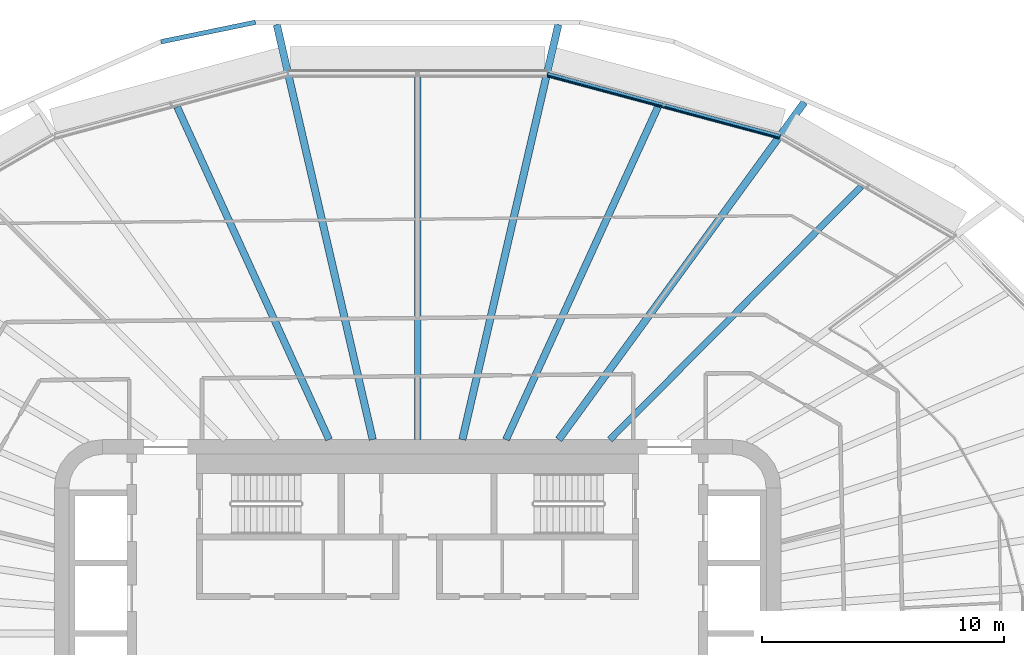
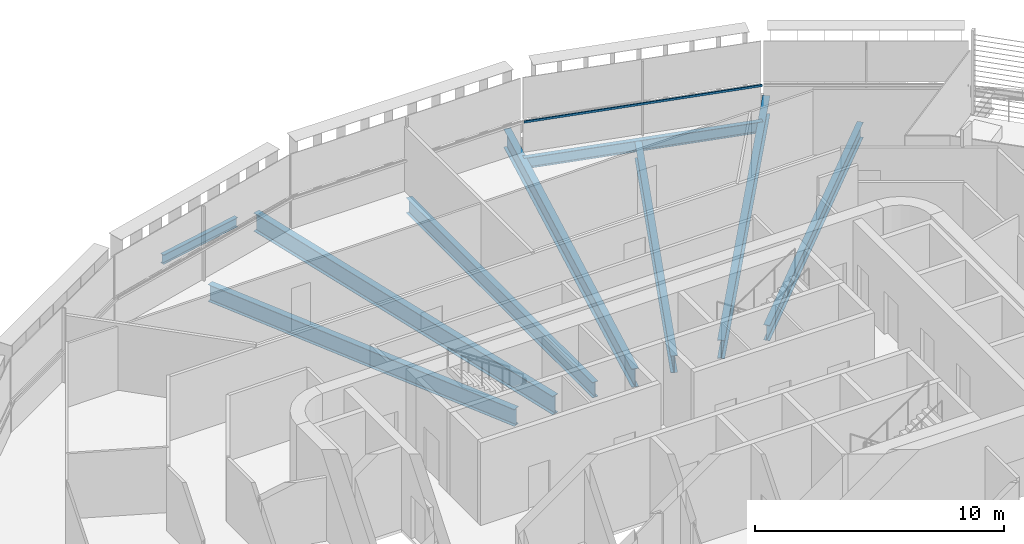
# One storey, part 8 of 24: 9 beams, 1 member, 1 element without a shape of its own.
"""IFC4 building model written with IfcOpenShell, lengths in metres."""

from ifc_helpers import new_model, si_unit, direction, frame, origin, origin_2d, place, context, subcontext, project, spatial, rectangle, i_section, extrude, material, layer, layer_set, material_profile, profile_set, type_object, element, aggregate, save


model = new_model("IFC4")

# Units and contexts
model_context = context("Model", 3, precision=1e-05, world=origin(), true_north=direction((0.0, 1.0)))
body_context = subcontext(model_context, "Body", "Model", "MODEL_VIEW")
ifc_project = project(units=[si_unit("LENGTHUNIT", "METRE"), si_unit("AREAUNIT", "SQUARE_METRE"), si_unit("VOLUMEUNIT", "CUBIC_METRE"), si_unit("PLANEANGLEUNIT", "RADIAN"), si_unit("MASSUNIT", "GRAM", prefix="KILO")], contexts=[model_context])

# Site, building, storey
site_placement = place(None, origin())
site = spatial("IfcSite", under=ifc_project, at=site_placement, CompositionType="ELEMENT")
building_placement = place(site_placement, origin())
building = spatial("IfcBuilding", under=site, at=building_placement, Name="Sahrelin Media Tower", CompositionType="ELEMENT")
storey_placement = place(building_placement, frame((0.0, 0.0, 67.199951171875)))
storey = spatial("IfcBuildingStorey", under=building, at=storey_placement, Name="L11", CompositionType="ELEMENT", Elevation=67.199951171875)

# Beams
ifc_material_1 = material(Name="Steel S355", Category="steel")
ifc_material_profile_1 = material_profile(ifc_material_1, i_section(OverallWidth=0.208740234375, OverallDepth=0.5283203125, WebThickness=0.009521484375, FlangeThickness=0.01318359375, FilletRadius=0.0126953125, at=origin_2d()), Name="UB 533x210x82")
ifc_profile_set_1 = profile_set([ifc_material_profile_1], Name="Steel S355")
beam_type_1 = type_object("IfcBeamType", Name="Edge beam EB6", PredefinedType="BEAM", material=ifc_profile_set_1)
beam_1_placement = place(storey_placement, frame((5.36474609375, 23.0693359375, -0.4140625), z_axis=(0.965929509631, -0.25880529829, 0.0), x_axis=(0.25880529829, 0.965929509631, 0.0)))
element("IfcBeam", 1, at=beam_1_placement, inside=storey, type_object=beam_type_1, Name="Edge beam L11-20", PredefinedType="BEAM", context=body_context, shape_type="SweptSolid", body=[
    extrude(i_section(OverallWidth=0.208740234375, OverallDepth=0.5283203125, WebThickness=0.009521484375, FlangeThickness=0.01318359375, FilletRadius=0.0126953125, at=origin_2d()), origin(), (0.0, 0.0, 1.0), 9.932373046875),
])
ifc_material_profile_2 = material_profile(ifc_material_1, i_section(OverallWidth=0.30322265625, OverallDepth=0.903076171875, WebThickness=0.01513671875, FlangeThickness=0.020263671875, FilletRadius=0.01904296875, at=origin_2d()), Name="UB 914x305x201")
ifc_profile_set_2 = profile_set([ifc_material_profile_2], Name="Steel S355")
beam_type_2 = type_object("IfcBeamType", Name="Radial primary beam PB11", PredefinedType="BEAM", material=ifc_profile_set_2)
beam_2_placement = place(storey_placement, frame((5.827392578125, 8.0, -0.6015625), z_axis=(0.588761918739, 0.808306503155, 0.0), x_axis=(-0.808306503155, 0.588761918739, 0.0)))
element("IfcBeam", 2, at=beam_2_placement, inside=storey, type_object=beam_type_2, Name="Radial beam L11-05", PredefinedType="BEAM", context=body_context, shape_type="SweptSolid", body=[
    extrude(i_section(OverallWidth=0.30322265625, OverallDepth=0.903076171875, WebThickness=0.01513671875, FlangeThickness=0.020263671875, FilletRadius=0.01904296875, at=origin_2d()), origin(), (0.0, 0.0, 1.0), 17.236572265625),
])
for number, where, z_axis, x_axis, name in (
    (3, (1.85009765625, 8.0, -0.6015625), (0.22529943157, 0.974289569961, 0.0), (-0.974289569961, 0.22529943157, 0.0), "Radial beam L11-06"),
    (4, (-1.85009765625, 8.0, -0.6015625), (-0.22529943157, 0.974289569961, 0.0), (-0.974289569961, -0.22529943157, 0.0), "Radial beam L11-07"),
):
    element("IfcBeam", number, at=place(storey_placement, frame(where, z_axis=z_axis, x_axis=x_axis)), inside=storey, type_object=beam_type_2, Name=name, PredefinedType="BEAM", context=body_context, shape_type="SweptSolid", body=[
        extrude(i_section(OverallWidth=0.30322265625, OverallDepth=0.903076171875, WebThickness=0.01513671875, FlangeThickness=0.020263671875, FilletRadius=0.01904296875, at=origin_2d()), origin(), (0.0, 0.0, 1.0), 17.58935546875),
    ])
ifc_material_profile_3 = material_profile(ifc_material_1, i_section(OverallWidth=0.291748046875, OverallDepth=0.8349609375, WebThickness=0.013916015625, FlangeThickness=0.018798828125, FilletRadius=0.017822265625, at=origin_2d()), Name="UB 838x292x176")
ifc_profile_set_3 = profile_set([ifc_material_profile_3], Name="Steel S355")
beam_type_3 = type_object("IfcBeamType", Name="Radial secondary beam SB10", PredefinedType="BEAM", material=ifc_profile_set_3)
for number, where, z_axis, x_axis, name in (
    (5, (3.653564453125, 8.0, -0.5673828125), (0.415408664059, 0.909634894793, 0.0), (-0.909634894793, 0.415408664059, 0.0), "Secondary beam L11-05"),
    (6, (-3.653564453125, 8.0, -0.5673828125), (-0.415408664059, 0.909634894793, 0.0), (-0.909634894793, -0.415408664059, 0.0), "Secondary beam L11-07"),
):
    element("IfcBeam", number, at=place(storey_placement, frame(where, z_axis=z_axis, x_axis=x_axis)), inside=storey, type_object=beam_type_3, Name=name, PredefinedType="BEAM", context=body_context, shape_type="SweptSolid", body=[
        extrude(i_section(OverallWidth=0.291748046875, OverallDepth=0.8349609375, WebThickness=0.013916015625, FlangeThickness=0.018798828125, FilletRadius=0.017822265625, at=origin_2d()), origin(), (0.0, 0.0, 1.0), 15.103515625),
    ])
ifc_material_profile_4 = material_profile(ifc_material_1, i_section(OverallWidth=0.26513671875, OverallDepth=0.75390625, WebThickness=0.0126953125, FlangeThickness=0.017578125, FilletRadius=0.0166015625, at=origin_2d()), Name="UB 762x267x147")
ifc_profile_set_4 = profile_set([ifc_material_profile_4], Name="Steel S355")
beam_type_4 = type_object("IfcBeamType", Name="Radial secondary beam SB9", PredefinedType="BEAM", material=ifc_profile_set_4)
beam_3_placement = place(storey_placement, frame((7.9404296875, 8.0, -0.52685546875), z_axis=(0.704458173544, 0.709745504901, 0.0), x_axis=(-0.709745504901, 0.704458173544, 0.0)))
element("IfcBeam", 7, at=beam_3_placement, inside=storey, type_object=beam_type_4, Name="Secondary beam L11-04", PredefinedType="BEAM", context=body_context, shape_type="SweptSolid", body=[
    extrude(i_section(OverallWidth=0.26513671875, OverallDepth=0.75390625, WebThickness=0.0126953125, FlangeThickness=0.017578125, FilletRadius=0.0166015625, at=origin_2d()), origin(), (0.0, 0.0, 1.0), 14.729736328125),
])
beam_4_placement = place(storey_placement, frame((0.0, 8.0, -0.52685546875), z_axis=(0.0, 1.0, 0.0), x_axis=(-1.0, 0.0, 0.0)))
element("IfcBeam", 8, at=beam_4_placement, inside=storey, type_object=beam_type_4, Name="Secondary beam L11-06", PredefinedType="BEAM", context=body_context, shape_type="SweptSolid", body=[
    extrude(i_section(OverallWidth=0.26513671875, OverallDepth=0.75390625, WebThickness=0.0126953125, FlangeThickness=0.017578125, FilletRadius=0.0166015625, at=origin_2d()), origin(), (0.0, 0.0, 1.0), 14.95947265625),
])
ifc_material_profile_5 = material_profile(ifc_material_1, i_section(OverallWidth=0.1904296875, OverallDepth=0.45703125, WebThickness=0.009033203125, FlangeThickness=0.014404296875, FilletRadius=0.01025390625, at=origin_2d()), Name="UB 457x191x74")
ifc_profile_set_5 = profile_set([ifc_material_profile_5], Name="Steel S355")
beam_type_5 = type_object("IfcBeamType", Name="Tie chord TC5", PredefinedType="BEAM", material=ifc_profile_set_5)
beam_5_placement = place(storey_placement, frame((-6.6962890625, 25.232421875, -0.37841796875), z_axis=(-0.979384954369, -0.202002750365, 0.0), x_axis=(0.202002750365, -0.979384954369, 0.0)))
element("IfcBeam", 9, at=beam_5_placement, inside=storey, type_object=beam_type_5, Name="Tie chord L11-07", PredefinedType="BEAM", context=body_context, shape_type="SweptSolid", body=[
    extrude(i_section(OverallWidth=0.1904296875, OverallDepth=0.45703125, WebThickness=0.009033203125, FlangeThickness=0.014404296875, FilletRadius=0.01025390625, at=origin_2d()), origin(), (0.0, 0.0, 1.0), 3.9775390625),
])

# Curtain wall, member
ifc_material_2 = material(Name="Champagne anodised aluminium 6063-T6", Category="aluminium")
ifc_layer = layer(ifc_material_2, 0.14990234375)
ifc_layer_set = layer_set([ifc_layer], Name="Tower ribbon curtain wall")
curtain_wall_type = type_object("IfcCurtainWallType", Name="Tower ribbon curtain wall", PredefinedType="NOTDEFINED", material=ifc_layer_set)
curtain_wall_placement = place(storey_placement, frame((10.200439453125, 21.928955078125, 0.0), z_axis=(0.0, 0.0, 1.0), x_axis=(1.0, 0.0, 0.0)))
curtain_wall = element("IfcCurtainWall", 10, at=curtain_wall_placement, inside=storey, type_object=curtain_wall_type, Name="L11:CW:L11-05", PredefinedType="NOTDEFINED")
ifc_material_profile_6 = material_profile(ifc_material_2, rectangle(XDim=0.050048828125, YDim=0.10009765625, at=origin_2d()), Name="Transom 50x100")
ifc_profile_set_6 = profile_set([ifc_material_profile_6], Name="Champagne anodised aluminium 6063-T6")
member_type = type_object("IfcMemberType", Name="Transom 50x100 CW1", PredefinedType="USERDEFINED", material=ifc_profile_set_6)
member_placement = place(storey_placement, frame((14.931884765625, 20.45947265625, 1.60009765625), z_axis=(-0.965928130018, 0.258810447315, 0.0), x_axis=(-0.258810447315, -0.965928130018, 0.0)))
member = element("IfcMember", 11, at=member_placement, type_object=member_type, Name="L11:CWT:L11-05", ObjectType="TRANSOM", PredefinedType="USERDEFINED", context=body_context, shape_type="SweptSolid", body=[
    extrude(rectangle(XDim=0.050048828125, YDim=0.10009765625, at=origin_2d()), origin(), (0.0, 0.0, 1.0), 9.901123046875),
])
aggregate(curtain_wall, [member])

save(model, "model.ifc")
